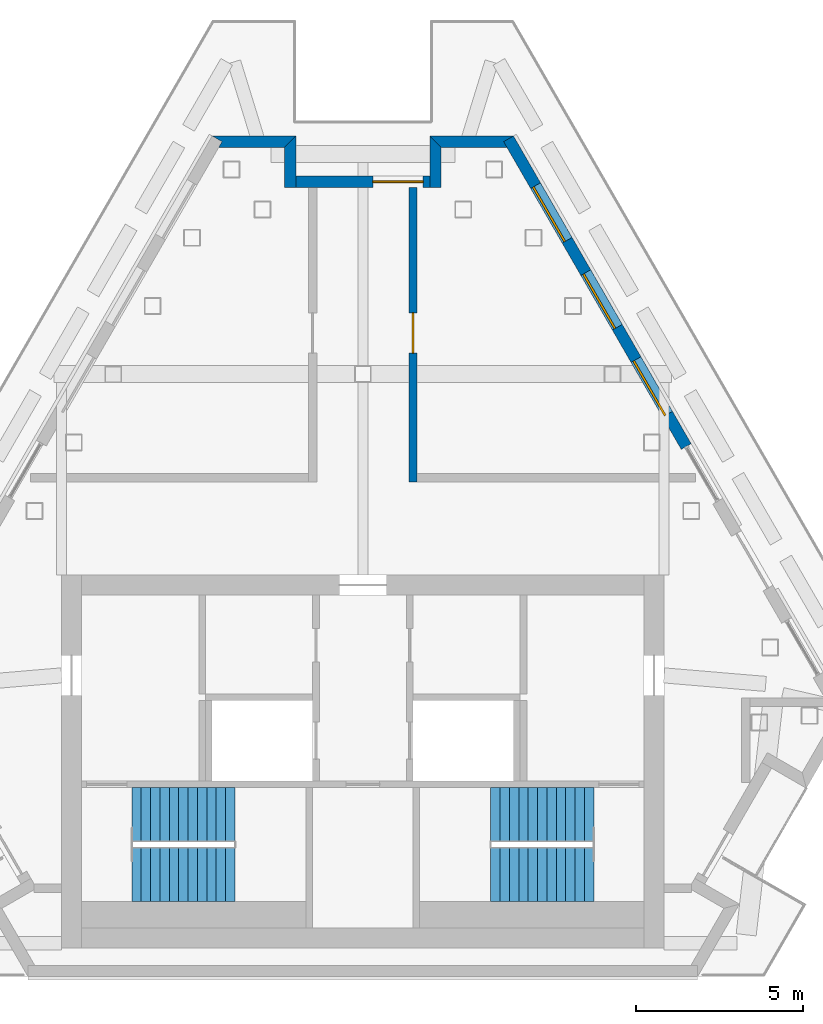
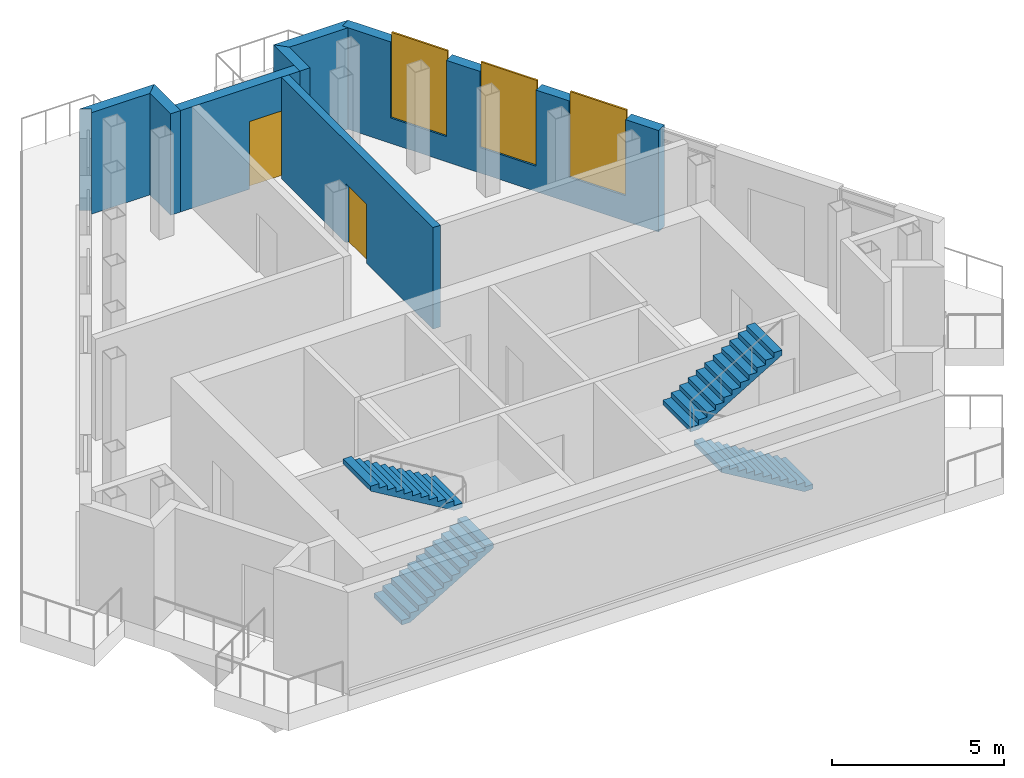
# One storey, part 6 of 7: 7 walls, 4 stair flights, 3 windows, 2 doors, 5 openings, 2 elements without a shape of their own.
"""IFC4 building model written with IfcOpenShell, lengths in metres."""

from ifc_helpers import new_model, si_unit, direction, frame, frame_2d, origin, place, context, subcontext, project, spatial, polyline, rectangle, outline, extrude, material, layer, layer_set, type_object, element, fill, aggregate, save


model = new_model("IFC4")

# Units and contexts
model_context = context("Model", 3, precision=1e-05, world=origin(), true_north=direction((0.0, 1.0)))
body_context = subcontext(model_context, "Body", "Model", "MODEL_VIEW")
ifc_project = project(units=[si_unit("LENGTHUNIT", "METRE"), si_unit("AREAUNIT", "SQUARE_METRE"), si_unit("VOLUMEUNIT", "CUBIC_METRE"), si_unit("PLANEANGLEUNIT", "RADIAN"), si_unit("MASSUNIT", "GRAM", prefix="KILO")], contexts=[model_context])

# Site, building, storey
site_placement = place(None, origin())
site = spatial("IfcSite", under=ifc_project, at=site_placement, CompositionType="ELEMENT")
building_placement = place(site_placement, origin())
building = spatial("IfcBuilding", under=site, at=building_placement, Name="Fogline Exchange Tower", CompositionType="ELEMENT")
storey_placement = place(building_placement, frame((0.0, 0.0, 359.60009765625)))
storey = spatial("IfcBuildingStorey", under=building, at=storey_placement, Name="L81", CompositionType="ELEMENT", Elevation=359.60009765625)

# Wall, openings, windows
ifc_material_1 = material(Name="Brick masonry", Category="masonry")
ifc_layer_1 = layer(ifc_material_1, 0.340087890625)
ifc_layer_set_1 = layer_set([ifc_layer_1], Name="FW1")
wall_type_1 = type_object("IfcWallType", Name="FW1", PredefinedType="SOLIDWALL", material=ifc_layer_set_1)
wall_1_placement = place(storey_placement, frame((9.660400390625, 15.8369140625, 0.0), z_axis=(0.0, 0.0, 1.0), x_axis=(-0.500007813417, 0.866020892659, 0.0)))
wall_1 = element("IfcWall", 1, at=wall_1_placement, inside=storey, type_object=wall_type_1, Name="Brick wall L81 E bay 3", PredefinedType="SOLIDWALL", context=body_context, shape_type="SweptSolid", body=[
    extrude(rectangle(XDim=10.614990234375, YDim=0.340087890625, at=frame_2d((5.3076171875, 0.0))), origin(), (0.0, 0.0, 1.0), 3.599853515625),
])
opening_1_placement = place(wall_1_placement, frame((1.114990234375, 0.0, 0.89990234375)))
opening_1 = element("IfcOpeningElement", 2, at=opening_1_placement, cuts=wall_1, Name="Opening W6", PredefinedType="OPENING", context=body_context, shape_type="SweptSolid", body=[
    extrude(rectangle(XDim=1.885009765625, YDim=3.0, at=frame_2d((0.9423828125, 1.5))), frame((0.0, 0.18017578125, 0.0), z_axis=(0.0, -1.0, 0.0), x_axis=(1.0, 0.0, 0.0)), (0.0, 0.0, 1.0), 0.360107421875),
])
opening_2_placement = place(wall_1_placement, frame((4.114990234375, 0.0, 0.89990234375)))
opening_2 = element("IfcOpeningElement", 3, at=opening_2_placement, cuts=wall_1, Name="Opening W6", PredefinedType="OPENING", context=body_context, shape_type="SweptSolid", body=[
    extrude(rectangle(XDim=1.885009765625, YDim=3.0, at=frame_2d((0.9423828125, 1.5))), frame((0.0, 0.18017578125, 0.0), z_axis=(0.0, -1.0, 0.0), x_axis=(1.0, 0.0, 0.0)), (0.0, 0.0, 1.0), 0.360107421875),
])
opening_3_placement = place(wall_1_placement, frame((7.114990234375, 0.0, 0.89990234375)))
opening_3 = element("IfcOpeningElement", 4, at=opening_3_placement, cuts=wall_1, Name="Opening W6", PredefinedType="OPENING", context=body_context, shape_type="SweptSolid", body=[
    extrude(rectangle(XDim=1.885009765625, YDim=3.0, at=frame_2d((0.9423828125, 1.5))), frame((0.0, 0.18017578125, 0.0), z_axis=(0.0, -1.0, 0.0), x_axis=(1.0, 0.0, 0.0)), (0.0, 0.0, 1.0), 0.360107421875),
])
ifc_material_2 = material(Name="Aluminium louvre", Category="aluminium")
window_type = type_object("IfcWindowType", Name="W6", PartitioningType="SINGLE_PANEL", PredefinedType="WINDOW", material=ifc_material_2)
window_1_placement = place(opening_1_placement, origin())
window_1 = element("IfcWindow", 5, at=window_1_placement, inside=storey, type_object=window_type, Name="W6 W6", OverallHeight=3.0, OverallWidth=1.885009765625, PartitioningType="SINGLE_PANEL", PredefinedType="WINDOW", context=body_context, shape_type="SweptSolid", body=[
    extrude(rectangle(XDim=1.885009765625, YDim=3.0, at=frame_2d((0.9423828125, 1.5))), frame((0.0, 0.110107421875, 0.0), z_axis=(0.0, -1.0, 0.0), x_axis=(1.0, 0.0, 0.0)), (0.0, 0.0, 1.0), 0.06005859375),
])
fill(opening_1, window_1)
window_2_placement = place(opening_2_placement, origin())
window_2 = element("IfcWindow", 6, at=window_2_placement, inside=storey, type_object=window_type, Name="W6 W6", OverallHeight=3.0, OverallWidth=1.885009765625, PartitioningType="SINGLE_PANEL", PredefinedType="WINDOW", context=body_context, shape_type="SweptSolid", body=[
    extrude(rectangle(XDim=1.885009765625, YDim=3.0, at=frame_2d((0.9423828125, 1.5))), frame((0.0, 0.110107421875, 0.0), z_axis=(0.0, -1.0, 0.0), x_axis=(1.0, 0.0, 0.0)), (0.0, 0.0, 1.0), 0.06005859375),
])
fill(opening_2, window_2)
window_3_placement = place(opening_3_placement, origin())
window_3 = element("IfcWindow", 7, at=window_3_placement, inside=storey, type_object=window_type, Name="W6 W6", OverallHeight=3.0, OverallWidth=1.885009765625, PartitioningType="SINGLE_PANEL", PredefinedType="WINDOW", context=body_context, shape_type="SweptSolid", body=[
    extrude(rectangle(XDim=1.885009765625, YDim=3.0, at=frame_2d((0.9423828125, 1.5))), frame((0.0, 0.110107421875, 0.0), z_axis=(0.0, -1.0, 0.0), x_axis=(1.0, 0.0, 0.0)), (0.0, 0.0, 1.0), 0.06005859375),
])
fill(opening_3, window_3)

# Walls
wall_2_placement = place(storey_placement, origin())
element("IfcWall", 8, at=wall_2_placement, inside=storey, type_object=wall_type_1, Name="Brick wall L81 N-c1", PredefinedType="SOLIDWALL", context=body_context, shape_type="SweptSolid", body=[
    extrude(outline(polyline([(1.9990234375, 25.115234375), (4.5009765625, 25.115234375), (4.501220703125, 25.11474609375), (4.206298828125, 24.944580078125), (4.3046875, 24.774169921875), (2.33984375, 24.774169921875), (1.998779296875, 25.114990234375), (1.9990234375, 25.115234375)])), origin(), (0.0, 0.0, 1.0), 3.599853515625),
])
wall_3_placement = place(storey_placement, origin())
element("IfcWall", 9, at=wall_3_placement, inside=storey, type_object=wall_type_1, Name="Brick wall L81 N-s1", PredefinedType="SOLIDWALL", context=body_context, shape_type="SweptSolid", body=[
    extrude(outline(polyline([(2.340576171875, 23.57421875), (1.99951171875, 23.57421875), (1.99951171875, 25.11572265625), (1.999755859375, 25.115966796875), (2.340576171875, 24.77490234375), (2.340576171875, 23.57421875)])), origin(), (0.0, 0.0, 1.0), 3.599853515625),
])

# Wall, opening, door
wall_4_placement = place(storey_placement, frame((2.0, 23.74462890625, 0.0), z_axis=(0.0, 0.0, 1.0), x_axis=(-1.0, 0.0, 0.0)))
wall_4 = element("IfcWall", 10, at=wall_4_placement, inside=storey, type_object=wall_type_1, Name="Brick wall L81 N-bk", PredefinedType="SOLIDWALL", context=body_context, shape_type="SweptSolid", body=[
    extrude(rectangle(XDim=4.0, YDim=0.340087890625, at=frame_2d((2.0, 0.0))), origin(), (0.0, 0.0, 1.0), 3.599853515625),
])
opening_4_placement = place(wall_4_placement, frame((0.199951171875, 0.0, 0.0)))
opening_4 = element("IfcOpeningElement", 11, at=opening_4_placement, cuts=wall_4, Name="Opening L81-E141", PredefinedType="OPENING", context=body_context, shape_type="SweptSolid", body=[
    extrude(rectangle(XDim=1.5, YDim=2.39990234375, at=frame_2d((0.75, 1.199951171875))), frame((0.0, 0.18017578125, 0.0), z_axis=(0.0, -1.0, 0.0), x_axis=(1.0, 0.0, 0.0)), (0.0, 0.0, 1.0), 0.360107421875),
])
ifc_material_3 = material(Name="Aluminium and glass", Category="aluminium")
door_type_1 = type_object("IfcDoorType", Name="ED4", OperationType="SINGLE_SWING_LEFT", PredefinedType="DOOR", material=ifc_material_3)
door_1_placement = place(opening_4_placement, frame((1.5, 0.0, 0.0), z_axis=(0.0, 0.0, 1.0), x_axis=(-1.0, 0.0, 0.0)))
door_1 = element("IfcDoor", 12, at=door_1_placement, inside=storey, type_object=door_type_1, Name="Balcony door L81 N", OperationType="DOUBLE_DOOR_SINGLE_SWING", OverallHeight=2.39990234375, OverallWidth=1.5, PredefinedType="DOOR", context=body_context, shape_type="SweptSolid", body=[
    extrude(rectangle(XDim=1.5, YDim=2.39990234375, at=frame_2d((0.75, 1.199951171875))), frame((0.0, 0.02490234375, 0.0), z_axis=(0.0, -1.0, 0.0), x_axis=(1.0, 0.0, 0.0)), (0.0, 0.0, 1.0), 0.050048828125),
])
fill(opening_4, door_1)

# Walls
wall_5_placement = place(storey_placement, origin())
element("IfcWall", 13, at=wall_5_placement, inside=storey, type_object=wall_type_1, Name="Brick wall L81 N-s2", PredefinedType="SOLIDWALL", context=body_context, shape_type="SweptSolid", body=[
    extrude(outline(polyline([(-1.99951171875, 25.11572265625), (-1.99951171875, 23.57421875), (-2.340576171875, 23.57421875), (-2.340576171875, 24.77490234375), (-1.999755859375, 25.115966796875), (-1.99951171875, 25.11572265625)])), origin(), (0.0, 0.0, 1.0), 3.599853515625),
])
wall_6_placement = place(storey_placement, origin())
element("IfcWall", 14, at=wall_6_placement, inside=storey, type_object=wall_type_1, Name="Brick wall L81 N-c2", PredefinedType="SOLIDWALL", context=body_context, shape_type="SweptSolid", body=[
    extrude(outline(polyline([(-4.3046875, 24.774169921875), (-4.206298828125, 24.944580078125), (-4.501220703125, 25.11474609375), (-4.5009765625, 25.115234375), (-1.9990234375, 25.115234375), (-1.998779296875, 25.114990234375), (-2.33984375, 24.774169921875), (-4.3046875, 24.774169921875)])), origin(), (0.0, 0.0, 1.0), 3.599853515625),
])

# Wall, opening, door
ifc_material_4 = material(Name="Concrete C40", Category="concrete")
ifc_layer_2 = layer(ifc_material_4, 0.25)
ifc_layer_set_2 = layer_set([ifc_layer_2], Name="PP3")
wall_type_2 = type_object("IfcWallType", Name="PP3", PredefinedType="SOLIDWALL", material=ifc_layer_set_2)
wall_7_placement = place(storey_placement, frame((1.5, 23.57470703125, 0.0), z_axis=(0.0, 0.0, 1.0), x_axis=(0.0, -1.0, 0.0)))
wall_7 = element("IfcWall", 15, at=wall_7_placement, inside=storey, type_object=wall_type_2, Name="PP3 partition", PredefinedType="SOLIDWALL", context=body_context, shape_type="SweptSolid", body=[
    extrude(rectangle(XDim=8.7998046875, YDim=0.25, at=frame_2d((4.39990234375, 0.0))), origin(), (0.0, 0.0, 1.0), 3.599853515625),
])
opening_5_placement = place(wall_7_placement, frame((3.747314453125, 0.0, 0.0)))
opening_5 = element("IfcOpeningElement", 16, at=opening_5_placement, cuts=wall_7, Name="Opening L81-D001", PredefinedType="OPENING", context=body_context, shape_type="SweptSolid", body=[
    extrude(rectangle(XDim=1.199951171875, YDim=2.10009765625, at=frame_2d((0.60009765625, 1.050048828125))), frame((0.0, 0.135009765625, 0.0), z_axis=(0.0, -1.0, 0.0), x_axis=(1.0, 0.0, 0.0)), (0.0, 0.0, 1.0), 0.27001953125),
])
ifc_material_5 = material(Name="Steel Q235B", Category="steel")
door_type_2 = type_object("IfcDoorType", Name="PD7", OperationType="SINGLE_SWING_LEFT", PredefinedType="DOOR", material=ifc_material_5)
door_2_placement = place(opening_5_placement, origin())
door_2 = element("IfcDoor", 17, at=door_2_placement, inside=storey, type_object=door_type_2, Name="L81-D001", OperationType="SINGLE_SWING_RIGHT", OverallHeight=2.10009765625, OverallWidth=1.199951171875, PredefinedType="DOOR", context=body_context, shape_type="SweptSolid", body=[
    extrude(rectangle(XDim=1.199951171875, YDim=2.10009765625, at=frame_2d((0.60009765625, 1.050048828125))), frame((0.0, 0.02490234375, 0.0), z_axis=(0.0, -1.0, 0.0), x_axis=(1.0, 0.0, 0.0)), (0.0, 0.0, 1.0), 0.050048828125),
])
fill(opening_5, door_2)

# Stair, stair flights
stair_type = type_object("IfcStairType", Name="STR24-1667", PredefinedType="HALF_TURN_STAIR", material=ifc_material_4)
stair_1_placement = place(storey_placement, origin())
stair_1 = element("IfcStair", 18, at=stair_1_placement, inside=storey, type_object=stair_type, Name="Stair CS1", PredefinedType="HALF_TURN_STAIR")
stair_flight_type = type_object("IfcStairFlightType", Name="SF12-1667", PredefinedType="STRAIGHT", material=ifc_material_4)
stair_flight_1_placement = place(storey_placement, frame((-6.89990234375, 3.050048828125, 0.0), z_axis=(0.0, 0.0, 1.0), x_axis=(1.0, 0.0, 0.0)))
stair_flight_1 = element("IfcStairFlight", 19, at=stair_flight_1_placement, type_object=stair_flight_type, Name="CS1 flight 1", NumberOfRisers=12, NumberOfTreads=11, PredefinedType="STRAIGHT", RiserHeight=0.166666667, TreadLength=0.28, context=body_context, shape_type="SweptSolid", body=[
    extrude(outline(polyline([(0.0, 0.0), (0.0, 0.166748046875), (0.280029296875, 0.166748046875), (0.280029296875, 0.333251953125), (0.56005859375, 0.333251953125), (0.56005859375, 0.5), (0.840087890625, 0.5), (0.840087890625, 0.666748046875), (1.1201171875, 0.666748046875), (1.1201171875, 0.833251953125), (1.39990234375, 0.833251953125), (1.39990234375, 1.0), (1.679931640625, 1.0), (1.679931640625, 1.166748046875), (1.9599609375, 1.166748046875), (1.9599609375, 1.333251953125), (2.239990234375, 1.333251953125), (2.239990234375, 1.5), (2.52001953125, 1.5), (2.52001953125, 1.666748046875), (2.800048828125, 1.666748046875), (2.800048828125, 1.833251953125), (3.080078125, 1.833251953125), (3.080078125, 2.0), (3.080078125, 1.658935546875), (0.29296875, 0.0), (0.0, 0.0)])), frame((0.0, 0.800048828125, 0.0), z_axis=(0.0, -1.0, 0.0), x_axis=(1.0, 0.0, 0.0)), (0.0, 0.0, 1.0), 1.60009765625),
])
stair_flight_2_placement = place(storey_placement, frame((-3.820068359375, 4.85009765625, 2.0), z_axis=(0.0, 0.0, 1.0), x_axis=(-1.0, 0.0, 0.0)))
stair_flight_2 = element("IfcStairFlight", 20, at=stair_flight_2_placement, type_object=stair_flight_type, Name="CS1 flight 2", NumberOfRisers=12, NumberOfTreads=11, PredefinedType="STRAIGHT", RiserHeight=0.166666667, TreadLength=0.28, context=body_context, shape_type="SweptSolid", body=[
    extrude(outline(polyline([(0.0, 0.0), (0.0, 0.166748046875), (0.280029296875, 0.166748046875), (0.280029296875, 0.333251953125), (0.56005859375, 0.333251953125), (0.56005859375, 0.5), (0.840087890625, 0.5), (0.840087890625, 0.666748046875), (1.1201171875, 0.666748046875), (1.1201171875, 0.833251953125), (1.39990234375, 0.833251953125), (1.39990234375, 1.0), (1.679931640625, 1.0), (1.679931640625, 1.166748046875), (1.9599609375, 1.166748046875), (1.9599609375, 1.333251953125), (2.239990234375, 1.333251953125), (2.239990234375, 1.5), (2.52001953125, 1.5), (2.52001953125, 1.666748046875), (2.800048828125, 1.666748046875), (2.800048828125, 1.833251953125), (3.080078125, 1.833251953125), (3.080078125, 2.0), (3.080078125, 1.658935546875), (0.29296875, 0.0), (0.0, 0.0)])), frame((0.0, 0.800048828125, 0.0), z_axis=(0.0, -1.0, 0.0), x_axis=(1.0, 0.0, 0.0)), (0.0, 0.0, 1.0), 1.60009765625),
])
aggregate(stair_1, [stair_flight_1, stair_flight_2])

stair_2_placement = place(storey_placement, origin())
stair_2 = element("IfcStair", 21, at=stair_2_placement, inside=storey, type_object=stair_type, Name="Stair CS2", PredefinedType="HALF_TURN_STAIR")
stair_flight_3_placement = place(storey_placement, frame((6.89990234375, 3.050048828125, 0.0), z_axis=(0.0, 0.0, 1.0), x_axis=(-1.0, 0.0, 0.0)))
stair_flight_3 = element("IfcStairFlight", 22, at=stair_flight_3_placement, type_object=stair_flight_type, Name="CS2 flight 1", NumberOfRisers=12, NumberOfTreads=11, PredefinedType="STRAIGHT", RiserHeight=0.166666667, TreadLength=0.28, context=body_context, shape_type="SweptSolid", body=[
    extrude(outline(polyline([(0.0, 0.0), (0.0, 0.166748046875), (0.280029296875, 0.166748046875), (0.280029296875, 0.333251953125), (0.56005859375, 0.333251953125), (0.56005859375, 0.5), (0.840087890625, 0.5), (0.840087890625, 0.666748046875), (1.1201171875, 0.666748046875), (1.1201171875, 0.833251953125), (1.39990234375, 0.833251953125), (1.39990234375, 1.0), (1.679931640625, 1.0), (1.679931640625, 1.166748046875), (1.9599609375, 1.166748046875), (1.9599609375, 1.333251953125), (2.239990234375, 1.333251953125), (2.239990234375, 1.5), (2.52001953125, 1.5), (2.52001953125, 1.666748046875), (2.800048828125, 1.666748046875), (2.800048828125, 1.833251953125), (3.080078125, 1.833251953125), (3.080078125, 2.0), (3.080078125, 1.658935546875), (0.29296875, 0.0), (0.0, 0.0)])), frame((0.0, 0.800048828125, 0.0), z_axis=(0.0, -1.0, 0.0), x_axis=(1.0, 0.0, 0.0)), (0.0, 0.0, 1.0), 1.60009765625),
])
stair_flight_4_placement = place(storey_placement, frame((3.820068359375, 4.85009765625, 2.0), z_axis=(0.0, 0.0, 1.0), x_axis=(1.0, 0.0, 0.0)))
stair_flight_4 = element("IfcStairFlight", 23, at=stair_flight_4_placement, type_object=stair_flight_type, Name="CS2 flight 2", NumberOfRisers=12, NumberOfTreads=11, PredefinedType="STRAIGHT", RiserHeight=0.166666667, TreadLength=0.28, context=body_context, shape_type="SweptSolid", body=[
    extrude(outline(polyline([(0.0, 0.0), (0.0, 0.166748046875), (0.280029296875, 0.166748046875), (0.280029296875, 0.333251953125), (0.56005859375, 0.333251953125), (0.56005859375, 0.5), (0.840087890625, 0.5), (0.840087890625, 0.666748046875), (1.1201171875, 0.666748046875), (1.1201171875, 0.833251953125), (1.39990234375, 0.833251953125), (1.39990234375, 1.0), (1.679931640625, 1.0), (1.679931640625, 1.166748046875), (1.9599609375, 1.166748046875), (1.9599609375, 1.333251953125), (2.239990234375, 1.333251953125), (2.239990234375, 1.5), (2.52001953125, 1.5), (2.52001953125, 1.666748046875), (2.800048828125, 1.666748046875), (2.800048828125, 1.833251953125), (3.080078125, 1.833251953125), (3.080078125, 2.0), (3.080078125, 1.658935546875), (0.29296875, 0.0), (0.0, 0.0)])), frame((0.0, 0.800048828125, 0.0), z_axis=(0.0, -1.0, 0.0), x_axis=(1.0, 0.0, 0.0)), (0.0, 0.0, 1.0), 1.60009765625),
])
aggregate(stair_2, [stair_flight_3, stair_flight_4])

save(model, "model.ifc")
